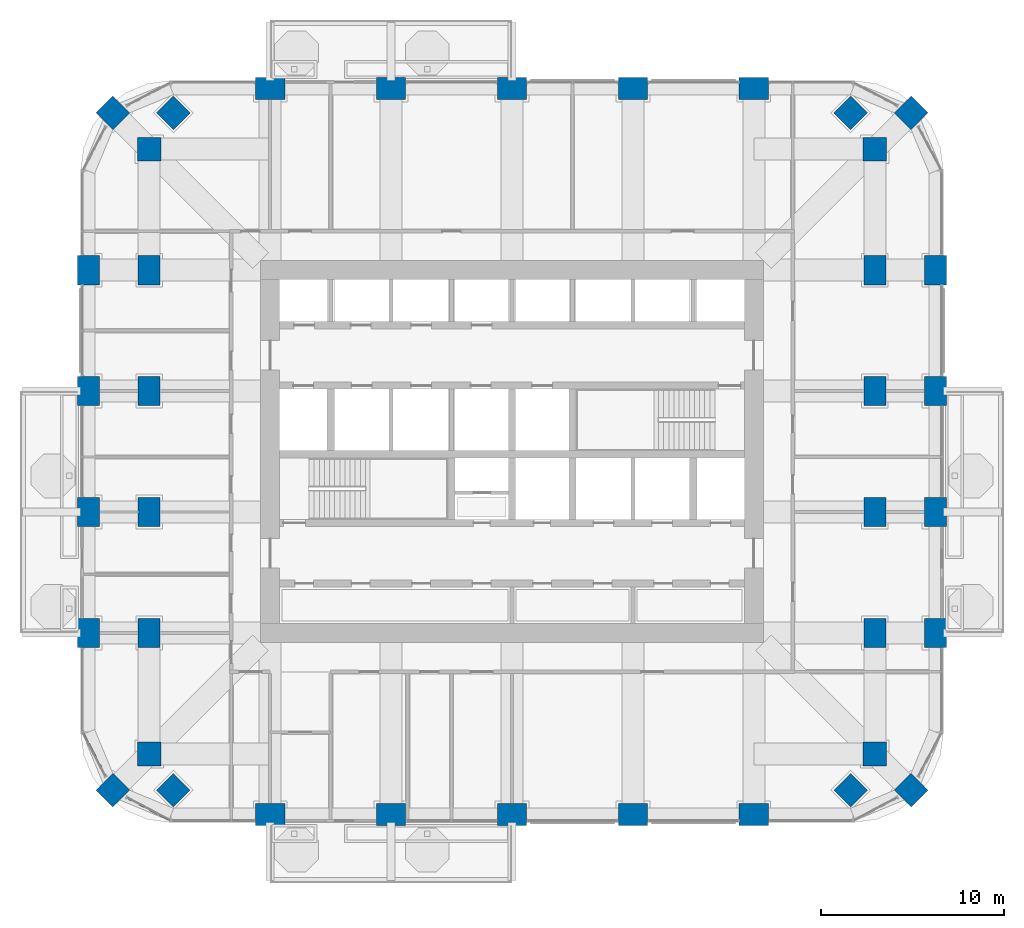
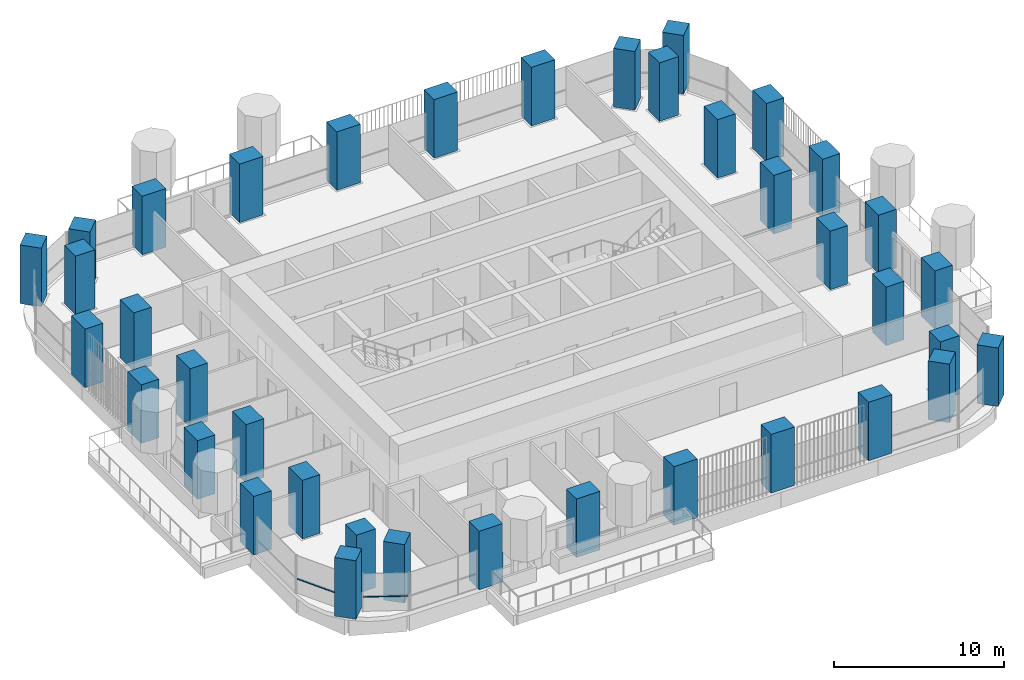
# One storey, part 1 of 19: 38 columns, 2 members, 2 elements without a shape of their own.
"""IFC4 building model written with IfcOpenShell, lengths in metres."""

from ifc_helpers import new_model, si_unit, direction, frame, origin, origin_2d, place, context, subcontext, project, spatial, rectangle, extrude, material, material_profile, profile_set, type_object, element, aggregate, save


model = new_model("IFC4")

# Units and contexts
model_context = context("Model", 3, precision=1e-05, world=origin(), true_north=direction((0.0, 1.0)))
body_context = subcontext(model_context, "Body", "Model", "MODEL_VIEW")
ifc_project = project(units=[si_unit("LENGTHUNIT", "METRE"), si_unit("AREAUNIT", "SQUARE_METRE"), si_unit("VOLUMEUNIT", "CUBIC_METRE"), si_unit("PLANEANGLEUNIT", "RADIAN"), si_unit("MASSUNIT", "GRAM", prefix="KILO")], contexts=[model_context])

# Site, building, storey
site_placement = place(None, origin())
site = spatial("IfcSite", under=ifc_project, at=site_placement, CompositionType="ELEMENT")
building_placement = place(site_placement, origin())
building = spatial("IfcBuilding", under=site, at=building_placement, Name="Cobogo Forest Laboratory Tower", CompositionType="ELEMENT")
storey_placement = place(building_placement, frame((0.0, 0.0, 159.89990234375)))
storey = spatial("IfcBuildingStorey", under=building, at=storey_placement, Name="L36", CompositionType="ELEMENT", Elevation=159.89990234375)

# Columns
ifc_material_1 = material(Name="Concrete HA-50 (C50/60)", Category="concrete")
ifc_material_profile_1 = material_profile(ifc_material_1, rectangle(XDim=1.60009765625, YDim=1.199951171875, at=origin_2d()), Name="RC 1200x1600")
ifc_profile_set_1 = profile_set([ifc_material_profile_1], Name="Concrete HA-50 (C50/60)")
column_type_1 = type_object("IfcColumnType", Name="Blade column 1200x1600", PredefinedType="COLUMN", material=ifc_profile_set_1)
for number, where, z_axis, x_axis, name in (
    (1, (13.199951171875, 3.300048828125, 0.0), (0.0, 0.0, 1.0), (1.0, 0.0, 0.0), "Column 3-A.1 L36"),
    (2, (19.800048828125, 3.300048828125, 0.0), (0.0, 0.0, 1.0), (1.0, 0.0, 0.0), "Column 4-A.1 L36"),
    (3, (26.39990234375, 3.300048828125, 0.0), (0.0, 0.0, 1.0), (1.0, 0.0, 0.0), "Column 5-A.1 L36"),
    (4, (33.0, 3.300048828125, 0.0), (0.0, 0.0, 1.0), (1.0, 0.0, 0.0), "Column 6-A.1 L36"),
    (5, (39.60009765625, 3.300048828125, 0.0), (0.0, 0.0, 1.0), (1.0, 0.0, 0.0), "Column 7-A.1 L36"),
    (6, (3.300048828125, 13.199951171875, 0.0), (0.0, 0.0, 1.0), (0.0, 1.0, 0.0), "Column 1.1-C L36"),
    (7, (49.5, 13.199951171875, 0.0), (0.0, 0.0, 1.0), (0.0, 1.0, 0.0), "Column 8.1-C L36"),
    (8, (3.300048828125, 19.800048828125, 0.0), (0.0, 0.0, 1.0), (0.0, 1.0, 0.0), "Column 1.1-D L36"),
    (9, (49.5, 19.800048828125, 0.0), (0.0, 0.0, 1.0), (0.0, 1.0, 0.0), "Column 8.1-D L36"),
    (10, (3.300048828125, 26.39990234375, 0.0), (0.0, 0.0, 1.0), (0.0, 1.0, 0.0), "Column 1.1-E L36"),
    (11, (49.5, 26.39990234375, 0.0), (0.0, 0.0, 1.0), (0.0, 1.0, 0.0), "Column 8.1-E L36"),
    (12, (3.300048828125, 33.0, 0.0), (0.0, 0.0, 1.0), (0.0, 1.0, 0.0), "Column 1.1-F L36"),
    (13, (49.5, 33.0, 0.0), (0.0, 0.0, 1.0), (0.0, 1.0, 0.0), "Column 8.1-F L36"),
    (14, (13.199951171875, 42.89990234375, 0.0), (0.0, 0.0, 1.0), (1.0, 0.0, 0.0), "Column 3-G.1 L36"),
    (15, (19.800048828125, 42.89990234375, 0.0), (0.0, 0.0, 1.0), (1.0, 0.0, 0.0), "Column 4-G.1 L36"),
    (16, (26.39990234375, 42.89990234375, 0.0), (0.0, 0.0, 1.0), (1.0, 0.0, 0.0), "Column 5-G.1 L36"),
    (17, (33.0, 42.89990234375, 0.0), (0.0, 0.0, 1.0), (1.0, 0.0, 0.0), "Column 6-G.1 L36"),
    (18, (39.60009765625, 42.89990234375, 0.0), (0.0, 0.0, 1.0), (1.0, 0.0, 0.0), "Column 7-G.1 L36"),
    (19, (6.60009765625, 13.199951171875, 0.0), (0.0, 0.0, 1.0), (0.0, 1.0, 0.0), "Column 2-C-D L36"),
    (20, (46.199951171875, 13.199951171875, 0.0), (0.0, 0.0, 1.0), (0.0, 1.0, 0.0), "Column 8-C-D L36"),
    (21, (6.60009765625, 19.800048828125, 0.0), (0.0, 0.0, 1.0), (0.0, 1.0, 0.0), "Column 2-D-D L36"),
    (22, (46.199951171875, 19.800048828125, 0.0), (0.0, 0.0, 1.0), (0.0, 1.0, 0.0), "Column 8-D-D L36"),
    (23, (6.60009765625, 26.39990234375, 0.0), (0.0, 0.0, 1.0), (0.0, 1.0, 0.0), "Column 2-E-D L36"),
    (24, (46.199951171875, 26.39990234375, 0.0), (0.0, 0.0, 1.0), (0.0, 1.0, 0.0), "Column 8-E-D L36"),
    (25, (6.60009765625, 33.0, 0.0), (0.0, 0.0, 1.0), (0.0, 1.0, 0.0), "Column 2-F-D L36"),
    (26, (46.199951171875, 33.0, 0.0), (0.0, 0.0, 1.0), (0.0, 1.0, 0.0), "Column 8-F-D L36"),
):
    element("IfcColumn", number, at=place(storey_placement, frame(where, z_axis=z_axis, x_axis=x_axis)), inside=storey, type_object=column_type_1, Name=name, PredefinedType="COLUMN", context=body_context, shape_type="SweptSolid", body=[
        extrude(rectangle(XDim=1.60009765625, YDim=1.199951171875, at=origin_2d()), origin(), (0.0, 0.0, 1.0), 4.2001953125),
    ])
ifc_material_profile_2 = material_profile(ifc_material_1, rectangle(XDim=1.300048828125, YDim=1.300048828125, at=origin_2d()), Name="RC 1300x1300")
ifc_profile_set_2 = profile_set([ifc_material_profile_2], Name="Concrete HA-50 (C50/60)")
column_type_2 = type_object("IfcColumnType", Name="Column 1300x1300", PredefinedType="COLUMN", material=ifc_profile_set_2)
for number, where, z_axis, x_axis, name in (
    (27, (4.617919921875, 4.617919921875, 0.0), (0.0, 0.0, 1.0), (0.707106781187, 0.707106781187, 0.0), "Column CNR-SW L36"),
    (28, (48.181884765625, 4.617919921875, 0.0), (0.0, 0.0, 1.0), (0.707106781187, 0.707106781187, 0.0), "Column CNR-SE L36"),
    (29, (4.617919921875, 41.58203125, 0.0), (0.0, 0.0, 1.0), (0.707106781187, 0.707106781187, 0.0), "Column CNR-NW L36"),
    (30, (48.181884765625, 41.58203125, 0.0), (0.0, 0.0, 1.0), (0.707106781187, 0.707106781187, 0.0), "Column CNR-NE L36"),
    (31, (6.60009765625, 6.60009765625, 0.0), (0.0, 0.0, 1.0), (1.0, 0.0, 0.0), "Column 2-B L36"),
    (32, (46.199951171875, 6.60009765625, 0.0), (0.0, 0.0, 1.0), (1.0, 0.0, 0.0), "Column 8-B L36"),
    (33, (6.60009765625, 39.60009765625, 0.0), (0.0, 0.0, 1.0), (1.0, 0.0, 0.0), "Column 2-G L36"),
    (34, (46.199951171875, 39.60009765625, 0.0), (0.0, 0.0, 1.0), (1.0, 0.0, 0.0), "Column 8-G L36"),
    (35, (7.91796875, 4.617919921875, 0.0), (0.0, 0.0, 1.0), (0.707106781187, 0.707106781187, 0.0), "Column CNR-SW-D L36"),
    (36, (44.882080078125, 4.617919921875, 0.0), (0.0, 0.0, 1.0), (0.707106781187, 0.707106781187, 0.0), "Column CNR-SE-D L36"),
    (37, (7.91796875, 41.58203125, 0.0), (0.0, 0.0, 1.0), (0.707106781187, 0.707106781187, 0.0), "Column CNR-NW-D L36"),
    (38, (44.882080078125, 41.58203125, 0.0), (0.0, 0.0, 1.0), (0.707106781187, 0.707106781187, 0.0), "Column CNR-NE-D L36"),
):
    element("IfcColumn", number, at=place(storey_placement, frame(where, z_axis=z_axis, x_axis=x_axis)), inside=storey, type_object=column_type_2, Name=name, PredefinedType="COLUMN", context=body_context, shape_type="SweptSolid", body=[
        extrude(rectangle(XDim=1.300048828125, YDim=1.300048828125, at=origin_2d()), origin(), (0.0, 0.0, 1.0), 4.2001953125),
    ])

# Curtain wall, member
ifc_material_2 = material(Name="Aluminium curtain wall", Category="aluminium")
curtain_wall_type = type_object("IfcCurtainWallType", Name="CW-2 unitised curtain wall, solar control glazing, laboratory floors zones C and D", PredefinedType="USERDEFINED", material=ifc_material_2)
curtain_wall_1_placement = place(storey_placement, origin())
curtain_wall_1 = element("IfcCurtainWall", 39, at=curtain_wall_1_placement, inside=storey, type_object=curtain_wall_type, Name="Curtain wall 29 L36", ObjectType="UNITISED CURTAIN WALL", PredefinedType="USERDEFINED")
ifc_material_3 = material(Name="Aluminium transom", Category="aluminium")
ifc_material_profile_3 = material_profile(ifc_material_3, rectangle(XDim=0.1201171875, YDim=0.06005859375, at=origin_2d()), Name="AL 60x120")
ifc_profile_set_3 = profile_set([ifc_material_profile_3], Name="Aluminium transom")
member_type = type_object("IfcMemberType", Name="TR-1 aluminium transom 60x120", PredefinedType="USERDEFINED", material=ifc_profile_set_3)
member_1_placement = place(storey_placement, frame((2.977783203125, 7.746826171875, 1.050048828125), z_axis=(0.464268054753, -0.885694740493, 0.0), x_axis=(0.885694740493, 0.464268054753, 0.0)))
member_1 = element("IfcMember", 40, at=member_1_placement, type_object=member_type, Name="CW-2 transom 1.1", ObjectType="TRANSOM", PredefinedType="USERDEFINED", context=body_context, shape_type="SweptSolid", body=[
    extrude(rectangle(XDim=0.1201171875, YDim=0.06005859375, at=origin_2d()), origin(), (0.0, 0.0, 1.0), 2.655517578125),
])
aggregate(curtain_wall_1, [member_1])

curtain_wall_2_placement = place(storey_placement, origin())
curtain_wall_2 = element("IfcCurtainWall", 41, at=curtain_wall_2_placement, inside=storey, type_object=curtain_wall_type, Name="Curtain wall 30 L36", ObjectType="UNITISED CURTAIN WALL", PredefinedType="USERDEFINED")
member_2_placement = place(storey_placement, frame((5.394775390625, 4.210693359375, 1.050048828125), z_axis=(0.885694740493, -0.464268054753, 0.0), x_axis=(0.464268054753, 0.885694740493, 0.0)))
member_2 = element("IfcMember", 42, at=member_2_placement, type_object=member_type, Name="CW-2 transom 1.1", ObjectType="TRANSOM", PredefinedType="USERDEFINED", context=body_context, shape_type="SweptSolid", body=[
    extrude(rectangle(XDim=0.1201171875, YDim=0.06005859375, at=origin_2d()), origin(), (0.0, 0.0, 1.0), 2.655517578125),
])
aggregate(curtain_wall_2, [member_2])

save(model, "model.ifc")
